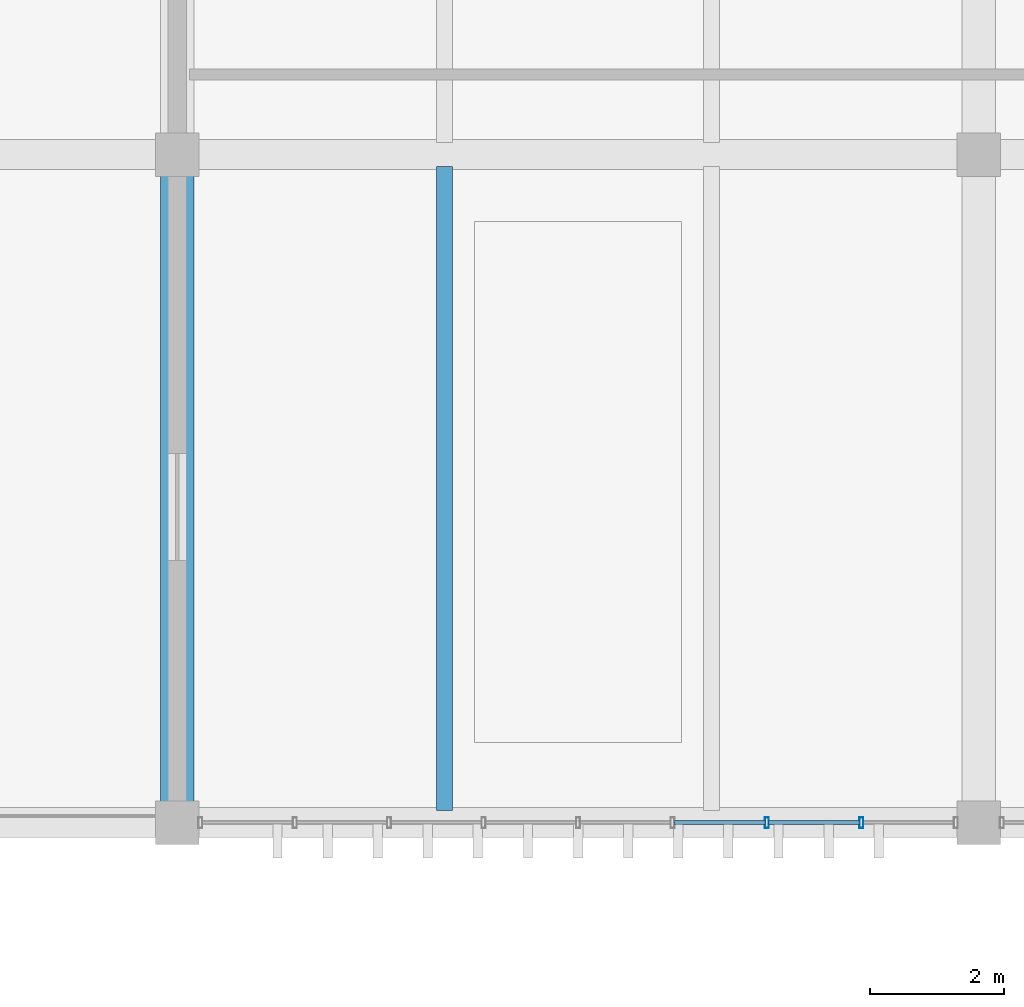
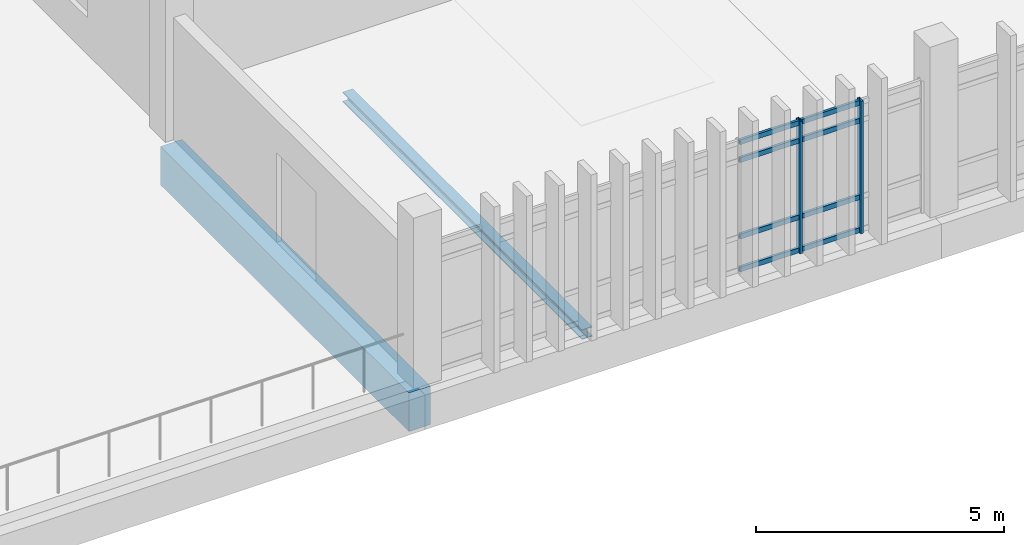
# One storey, part 12 of 82: 10 members, 2 beams, 1 element without a shape of its own.
"""IFC4 building model written with IfcOpenShell, lengths in metres."""

import ifcopenshell
import ifcopenshell.guid

model = None  # the IFC model being written
_history = None  # IfcOwnerHistory: only IFC2X3 demands one
_inside = {}  # id of a spatial element -> (the spatial element, [elements in it])
_under = {}  # id of a project, library or spatial element -> (it, [spatial elements below it])
_declared = {}  # id of a project -> (the project, [libraries it declares])
_typed = {}  # id of a type object -> (the type object, [elements of that type])
_made_of = {}  # id of a material, layer set ... -> (it, [elements and type objects made of it])


def new_model(schema):
    """Start an empty IFC model of exactly this schema.

    Asked for "IFC4X3", IfcOpenShell would pick the latest addendum, in which some entities
    have other attributes; the version numbers below select the first issue.
    IFC2X3 requires an IfcOwnerHistory on every rooted entity: one is made here for all.
    """
    global model, _history
    if schema == "IFC4X3":
        model = ifcopenshell.file(schema_version=(4, 3, 0, 0))
    else:
        model = ifcopenshell.file(schema=schema)
    _inside.clear()
    _under.clear()
    _declared.clear()
    _typed.clear()
    _made_of.clear()
    _history = None
    if model.schema == "IFC2X3":
        org = make("IfcOrganization", Name="unknown")
        user = make(
            "IfcPersonAndOrganization",
            ThePerson=make("IfcPerson", FamilyName="unknown"),
            TheOrganization=org,
        )
        app = make(
            "IfcApplication",
            ApplicationDeveloper=org,
            Version="unknown",
            ApplicationFullName="unknown",
            ApplicationIdentifier="unknown",
        )
        _history = make(
            "IfcOwnerHistory",
            OwningUser=user,
            OwningApplication=app,
            ChangeAction="ADDED",
            CreationDate=0,
        )
    return model


def make(cls, **values):
    """One entity of the class cls with the attributes given. An attribute that is None is left unset."""
    return model.create_entity(
        cls, **{name: value for name, value in values.items() if value is not None}
    )


def rooted(cls, **values):
    """An entity with a GlobalId (a new one), such as an element, a storey or a relation."""
    return make(cls, GlobalId=ifcopenshell.guid.new(), OwnerHistory=_history, **values)


def si_unit(unit_type, name, prefix=None):
    """IfcSIUnit, for example si_unit("LENGTHUNIT", "METRE", prefix="MILLI")."""
    return make("IfcSIUnit", UnitType=unit_type, Prefix=prefix, Name=name)


def assignment(units):
    """IfcUnitAssignment: the units of a project."""
    return None if units is None else make("IfcUnitAssignment", Units=units)


def point(xyz):
    """IfcCartesianPoint."""
    return None if xyz is None else make("IfcCartesianPoint", Coordinates=xyz)


def direction(xyz):
    """IfcDirection."""
    return None if xyz is None else make("IfcDirection", DirectionRatios=xyz)


def frame(location, z_axis=None, x_axis=None):
    """IfcAxis2Placement3D, a coordinate frame: its origin and axes. An axis left out is left unset."""
    return make(
        "IfcAxis2Placement3D",
        Location=point(location),
        Axis=direction(z_axis),
        RefDirection=direction(x_axis),
    )


def frame_2d(location, x_axis=None):
    """IfcAxis2Placement2D, a coordinate frame in the plane: its origin and x axis."""
    return make(
        "IfcAxis2Placement2D", Location=point(location), RefDirection=direction(x_axis)
    )


def origin():
    """The frame at (0, 0, 0) with its axes left unset."""
    return frame((0.0, 0.0, 0.0))


def origin_2d():
    """The frame at (0, 0) in the plane with its x axis left unset."""
    return frame_2d((0.0, 0.0))


def place(relative_to, where):
    """IfcLocalPlacement: puts the frame where relative to a parent placement (None: the world)."""
    return make(
        "IfcLocalPlacement", PlacementRelTo=relative_to, RelativePlacement=where
    )


def context(
    kind, dimensions, precision=None, world=None, true_north=None, identifier=None
):
    """IfcGeometricRepresentationContext, for example the 3D "Model" context."""
    return make(
        "IfcGeometricRepresentationContext",
        ContextIdentifier=identifier,
        ContextType=kind,
        CoordinateSpaceDimension=dimensions,
        Precision=precision,
        WorldCoordinateSystem=world,
        TrueNorth=true_north,
    )


def subcontext(parent, identifier, kind, view, scale=None):
    """IfcGeometricRepresentationSubContext, for example "Body" below "Model"."""
    return make(
        "IfcGeometricRepresentationSubContext",
        ContextIdentifier=identifier,
        ContextType=kind,
        ParentContext=parent,
        TargetScale=scale,
        TargetView=view,
    )


def project(units=None, contexts=None):
    """IfcProject with its units and contexts."""
    return rooted(
        "IfcProject",
        Name="project",
        RepresentationContexts=contexts,
        UnitsInContext=assignment(units),
    )


def spatial(cls, under=None, at=None, **own):
    """A site, building, storey or space (cls), placed at a placement, below another one or the project."""
    s = rooted(cls, ObjectPlacement=at, **own)
    if under is not None:
        _under.setdefault(under.id(), (under, []))[1].append(s)
    return s


def profile(cls, at=None, kind="AREA", **sizes):
    """A parametric profile (cls). Its sizes go by their IFC names, for example OverallWidth=200.0."""
    return make(cls, ProfileType=kind, Position=at, **sizes)


def rectangle(**sizes):
    """IfcRectangleProfileDef."""
    return profile("IfcRectangleProfileDef", **sizes)


def hollow_rectangle(**sizes):
    """IfcRectangleHollowProfileDef."""
    return profile("IfcRectangleHollowProfileDef", **sizes)


def i_section(**sizes):
    """IfcIShapeProfileDef."""
    return profile("IfcIShapeProfileDef", **sizes)


def extrude(swept, where, along, depth):
    """IfcExtrudedAreaSolid: the profile swept, set in the frame where, extruded along a direction by depth."""
    return make(
        "IfcExtrudedAreaSolid",
        SweptArea=swept,
        Position=where,
        ExtrudedDirection=direction(along),
        Depth=depth,
    )


def shape(context_of_items, identifier, shape_type, items):
    """IfcShapeRepresentation: the items that make up one representation, for example the "Body"."""
    return make(
        "IfcShapeRepresentation",
        ContextOfItems=context_of_items,
        RepresentationIdentifier=identifier,
        RepresentationType=shape_type,
        Items=items,
    )


def material(Name=None, Category=None):
    """IfcMaterial."""
    return make("IfcMaterial", Name=Name, Category=Category)


def layer(
    of_material, thickness, ventilated=None, Name=None, Category=None, Priority=None
):
    """IfcMaterialLayer: one layer of a wall or slab, of a material (None: an air gap)."""
    return make(
        "IfcMaterialLayer",
        Material=of_material,
        LayerThickness=thickness,
        IsVentilated=ventilated,
        Name=Name,
        Category=Category,
        Priority=Priority,
    )


def layer_set(layers, Name=None):
    """IfcMaterialLayerSet."""
    return make("IfcMaterialLayerSet", MaterialLayers=layers, LayerSetName=Name)


def material_profile(
    of_material, cross_section, Name=None, Category=None, Priority=None
):
    """IfcMaterialProfile: a cross section and its material."""
    return make(
        "IfcMaterialProfile",
        Name=Name,
        Material=of_material,
        Profile=cross_section,
        Priority=Priority,
        Category=Category,
    )


def profile_set(profiles, Name=None, composite=None):
    """IfcMaterialProfileSet."""
    return make(
        "IfcMaterialProfileSet",
        Name=Name,
        MaterialProfiles=profiles,
        CompositeProfile=composite,
    )


def made_of(thing, what):
    """Note that an element or type object is made of a material, layer set ...; save() writes the relation."""
    if what is not None:
        _made_of.setdefault(what.id(), (what, []))[1].append(thing)
    return thing


def type_object(cls, material=None, **own):
    """A type object (cls), such as IfcWallType, which elements share."""
    return made_of(rooted(cls, **own), material)


def element(
    cls,
    number,
    at=None,
    inside=None,
    cuts=None,
    type_object=None,
    material=None,
    context=None,
    identifier="Body",
    shape_type=None,
    held_by="IfcProductDefinitionShape",
    body=None,
    shapes=None,
    **own,
):
    """One element of the class cls, such as IfcWall. Its Tag is "e" and its number.

    at: its placement. inside: the storey or other place that contains it. cuts: it is an
    opening in that element (IfcRelVoidsElement). A single representation is given by context,
    identifier, shape_type and body (its items); several are given by shapes. held_by: the class
    of the entity that holds the representations. save() writes the other relations.
    """
    e = rooted(cls, Tag="e%d" % number, ObjectPlacement=at, **own)
    if body is not None:
        shapes = [shape(context, identifier, shape_type, body)]
    if shapes is not None:
        e.Representation = make(held_by, Representations=shapes)
    if inside is not None:
        _inside.setdefault(inside.id(), (inside, []))[1].append(e)
    if cuts is not None:
        rooted(
            "IfcRelVoidsElement", RelatingBuildingElement=cuts, RelatedOpeningElement=e
        )
    if type_object is not None:
        _typed.setdefault(type_object.id(), (type_object, []))[1].append(e)
    return made_of(e, material)


def aggregate(whole, parts):
    """IfcRelAggregates: a whole, such as a stair, and the parts it consists of."""
    return rooted("IfcRelAggregates", RelatingObject=whole, RelatedObjects=parts)


def save(model, path):
    """Write the relations noted so far, then the file.

    IfcRelAggregates (storeys below a building ...), IfcRelContainedInSpatialStructure (elements
    in a storey), IfcRelDefinesByType, IfcRelAssociatesMaterial and IfcRelDeclares: one each for
    every whole, place, type object, material and project.
    """
    for whole, parts in _under.values():
        aggregate(whole, parts)
    for where, things in _inside.values():
        rooted(
            "IfcRelContainedInSpatialStructure",
            RelatedElements=things,
            RelatingStructure=where,
        )
    for kind, things in _typed.values():
        rooted("IfcRelDefinesByType", RelatedObjects=things, RelatingType=kind)
    for what, things in _made_of.values():
        rooted("IfcRelAssociatesMaterial", RelatedObjects=things, RelatingMaterial=what)
    for by, libraries in _declared.values():
        rooted("IfcRelDeclares", RelatingContext=by, RelatedDefinitions=libraries)
    model.write(path)


model = new_model("IFC4")

# Units and contexts
model_context = context("Model", 3, precision=1e-05, world=origin(), true_north=direction((0.0, 1.0)))
body_context = subcontext(model_context, "Body", "Model", "MODEL_VIEW")
ifc_project = project(units=[si_unit("LENGTHUNIT", "METRE"), si_unit("AREAUNIT", "SQUARE_METRE"), si_unit("VOLUMEUNIT", "CUBIC_METRE"), si_unit("PLANEANGLEUNIT", "RADIAN"), si_unit("MASSUNIT", "GRAM", prefix="KILO")], contexts=[model_context])

# Site, building, storey
site_placement = place(None, origin())
site = spatial("IfcSite", under=ifc_project, at=site_placement, CompositionType="ELEMENT")
building_placement = place(site_placement, origin())
building = spatial("IfcBuilding", under=site, at=building_placement, Name="Mersad Railyard Sports Hall", CompositionType="ELEMENT")
storey_placement = place(building_placement, frame((0.0, 0.0, 13.199951171875)))
storey = spatial("IfcBuildingStorey", under=building, at=storey_placement, Name="L03", CompositionType="ELEMENT", Elevation=13.199951171875)

# Curtain wall, members
ifc_material_1 = material(Name="Aluminium 6063-T6", Category="aluminium")
ifc_layer = layer(ifc_material_1, 0.159912109375)
ifc_layer_set = layer_set([ifc_layer], Name="Aluminium 6063-T6")
curtain_wall_type = type_object("IfcCurtainWallType", Name="ARC-CW-CW59", PredefinedType="USERDEFINED", material=ifc_layer_set)
curtain_wall_placement = place(storey_placement, origin())
curtain_wall = element("IfcCurtainWall", 1, at=curtain_wall_placement, inside=storey, type_object=curtain_wall_type, Name="Curtain wall CW59-0155", ObjectType="CURTAIN WALL", PredefinedType="USERDEFINED")
ifc_material_profile_1 = material_profile(ifc_material_1, hollow_rectangle(XDim=0.06005859375, YDim=0.159912109375, WallThickness=0.00390625, at=origin_2d()), Name="AL MULLION 60x160x4")
ifc_profile_set_1 = profile_set([ifc_material_profile_1], Name="Aluminium 6063-T6")
member_type_1 = type_object("IfcMemberType", Name="ARC-CW-MUL01", PredefinedType="MULLION", material=ifc_profile_set_1)
member_1_placement = place(storey_placement, frame((65.2412109375, 85.0, -0.02001953125), z_axis=(0.0, 0.0, 1.0), x_axis=(1.0, 0.0, 0.0)))
member_1 = element("IfcMember", 2, at=member_1_placement, type_object=member_type_1, Name="CW59 Mullion 2", PredefinedType="MULLION", context=body_context, shape_type="SweptSolid", body=[
    extrude(hollow_rectangle(XDim=0.06005859375, YDim=0.159912109375, WallThickness=0.00390625, at=origin_2d()), origin(), (0.0, 0.0, 1.0), 3.25),
])
member_2_placement = place(storey_placement, frame((63.827392578125, 85.0, -0.02001953125), z_axis=(0.0, 0.0, 1.0), x_axis=(1.0, 0.0, 0.0)))
member_2 = element("IfcMember", 3, at=member_2_placement, type_object=member_type_1, Name="CW59 Mullion 3", PredefinedType="MULLION", context=body_context, shape_type="SweptSolid", body=[
    extrude(hollow_rectangle(XDim=0.06005859375, YDim=0.159912109375, WallThickness=0.00390625, at=origin_2d()), origin(), (0.0, 0.0, 1.0), 3.25),
])
ifc_material_profile_2 = material_profile(ifc_material_1, hollow_rectangle(XDim=0.06005859375, YDim=0.1201171875, WallThickness=0.00390625, at=origin_2d()), Name="AL TRANSOM 60x120x4")
ifc_profile_set_2 = profile_set([ifc_material_profile_2], Name="Aluminium 6063-T6")
member_type_2 = type_object("IfcMemberType", Name="ARC-CW-TRN01", PredefinedType="USERDEFINED", material=ifc_profile_set_2)
member_3_placement = place(storey_placement, frame((65.22119140625, 85.0, 0.0400390625), z_axis=(-1.0, 0.0, 0.0), x_axis=(0.0, -1.0, 0.0)))
member_3 = element("IfcMember", 4, at=member_3_placement, type_object=member_type_2, Name="CW59 Transom 1-2", ObjectType="TRANSOM", PredefinedType="USERDEFINED", context=body_context, shape_type="SweptSolid", body=[
    extrude(hollow_rectangle(XDim=0.06005859375, YDim=0.1201171875, WallThickness=0.00390625, at=origin_2d()), origin(), (0.0, 0.0, 1.0), 1.373779296875),
])
member_4_placement = place(storey_placement, frame((63.8076171875, 85.0, 0.0400390625), z_axis=(-1.0, 0.0, 0.0), x_axis=(0.0, -1.0, 0.0)))
member_4 = element("IfcMember", 5, at=member_4_placement, type_object=member_type_2, Name="CW59 Transom 1-3", ObjectType="TRANSOM", PredefinedType="USERDEFINED", context=body_context, shape_type="SweptSolid", body=[
    extrude(hollow_rectangle(XDim=0.06005859375, YDim=0.1201171875, WallThickness=0.00390625, at=origin_2d()), origin(), (0.0, 0.0, 1.0), 1.373779296875),
])
member_5_placement = place(storey_placement, frame((65.22119140625, 85.0, 0.85009765625), z_axis=(-1.0, 0.0, 0.0), x_axis=(0.0, -1.0, 0.0)))
member_5 = element("IfcMember", 6, at=member_5_placement, type_object=member_type_2, Name="CW59 Transom 2-2", ObjectType="TRANSOM", PredefinedType="USERDEFINED", context=body_context, shape_type="SweptSolid", body=[
    extrude(hollow_rectangle(XDim=0.06005859375, YDim=0.1201171875, WallThickness=0.00390625, at=origin_2d()), origin(), (0.0, 0.0, 1.0), 1.373779296875),
])
member_6_placement = place(storey_placement, frame((63.8076171875, 85.0, 0.85009765625), z_axis=(-1.0, 0.0, 0.0), x_axis=(0.0, -1.0, 0.0)))
member_6 = element("IfcMember", 7, at=member_6_placement, type_object=member_type_2, Name="CW59 Transom 2-3", ObjectType="TRANSOM", PredefinedType="USERDEFINED", context=body_context, shape_type="SweptSolid", body=[
    extrude(hollow_rectangle(XDim=0.06005859375, YDim=0.1201171875, WallThickness=0.00390625, at=origin_2d()), origin(), (0.0, 0.0, 1.0), 1.373779296875),
])
member_7_placement = place(storey_placement, frame((65.22119140625, 85.0, 2.72998046875), z_axis=(-1.0, 0.0, 0.0), x_axis=(0.0, -1.0, 0.0)))
member_7 = element("IfcMember", 8, at=member_7_placement, type_object=member_type_2, Name="CW59 Transom 3-2", ObjectType="TRANSOM", PredefinedType="USERDEFINED", context=body_context, shape_type="SweptSolid", body=[
    extrude(hollow_rectangle(XDim=0.06005859375, YDim=0.1201171875, WallThickness=0.00390625, at=origin_2d()), origin(), (0.0, 0.0, 1.0), 1.373779296875),
])
member_8_placement = place(storey_placement, frame((63.8076171875, 85.0, 2.72998046875), z_axis=(-1.0, 0.0, 0.0), x_axis=(0.0, -1.0, 0.0)))
member_8 = element("IfcMember", 9, at=member_8_placement, type_object=member_type_2, Name="CW59 Transom 3-3", ObjectType="TRANSOM", PredefinedType="USERDEFINED", context=body_context, shape_type="SweptSolid", body=[
    extrude(hollow_rectangle(XDim=0.06005859375, YDim=0.1201171875, WallThickness=0.00390625, at=origin_2d()), origin(), (0.0, 0.0, 1.0), 1.373779296875),
])
member_9_placement = place(storey_placement, frame((65.22119140625, 85.0, 3.170166015625), z_axis=(-1.0, 0.0, 0.0), x_axis=(0.0, -1.0, 0.0)))
member_9 = element("IfcMember", 10, at=member_9_placement, type_object=member_type_2, Name="CW59 Transom 4-2", ObjectType="TRANSOM", PredefinedType="USERDEFINED", context=body_context, shape_type="SweptSolid", body=[
    extrude(hollow_rectangle(XDim=0.06005859375, YDim=0.1201171875, WallThickness=0.00390625, at=origin_2d()), origin(), (0.0, 0.0, 1.0), 1.373779296875),
])
member_10_placement = place(storey_placement, frame((63.8076171875, 85.0, 3.170166015625), z_axis=(-1.0, 0.0, 0.0), x_axis=(0.0, -1.0, 0.0)))
member_10 = element("IfcMember", 11, at=member_10_placement, type_object=member_type_2, Name="CW59 Transom 4-3", ObjectType="TRANSOM", PredefinedType="USERDEFINED", context=body_context, shape_type="SweptSolid", body=[
    extrude(hollow_rectangle(XDim=0.06005859375, YDim=0.1201171875, WallThickness=0.00390625, at=origin_2d()), origin(), (0.0, 0.0, 1.0), 1.373779296875),
])
aggregate(curtain_wall, [member_1, member_2, member_3, member_4, member_5, member_6, member_7, member_8, member_9, member_10])

# Beams
ifc_material_2 = material(Name="Concrete C50/60", Category="concrete")
ifc_material_profile_3 = material_profile(ifc_material_2, rectangle(XDim=0.5, YDim=0.949951171875, at=origin_2d()), Name="RC 500x950")
ifc_profile_set_3 = profile_set([ifc_material_profile_3], Name="Concrete C50/60")
beam_type_1 = type_object("IfcBeamType", Name="STR-BM-B03", PredefinedType="BEAM", material=ifc_profile_set_3)
beam_1_placement = place(storey_placement, frame((55.0, 85.0, -0.794921875), z_axis=(0.0, 1.0, 0.0), x_axis=(-1.0, 0.0, 0.0)))
element("IfcBeam", 12, at=beam_1_placement, inside=storey, type_object=beam_type_1, Name="Beam B03-1247", PredefinedType="BEAM", context=body_context, shape_type="SweptSolid", body=[
    extrude(rectangle(XDim=0.5, YDim=0.949951171875, at=origin_2d()), origin(), (0.0, 0.0, 1.0), 10.0),
])
ifc_material_3 = material(Name="Steel S355", Category="steel")
ifc_material_profile_4 = material_profile(ifc_material_3, i_section(OverallWidth=0.239990234375, OverallDepth=0.239990234375, WebThickness=0.010009765625, FlangeThickness=0.01708984375, at=origin_2d()), Name="HEB 240")
ifc_profile_set_4 = profile_set([ifc_material_profile_4], Name="Steel S355")
beam_type_2 = type_object("IfcBeamType", Name="STR-BM-SB04", PredefinedType="BEAM", material=ifc_profile_set_4)
beam_2_placement = place(storey_placement, frame((59.0, 85.179931640625, -0.43994140625), z_axis=(0.0, 1.0, 0.0), x_axis=(-1.0, 0.0, 0.0)))
element("IfcBeam", 13, at=beam_2_placement, inside=storey, type_object=beam_type_2, Name="Beam SB04-1277", PredefinedType="BEAM", context=body_context, shape_type="SweptSolid", body=[
    extrude(i_section(OverallWidth=0.239990234375, OverallDepth=0.239990234375, WebThickness=0.010009765625, FlangeThickness=0.01708984375, at=origin_2d()), origin(), (0.0, 0.0, 1.0), 9.64013671875),
])

save(model, "model.ifc")
